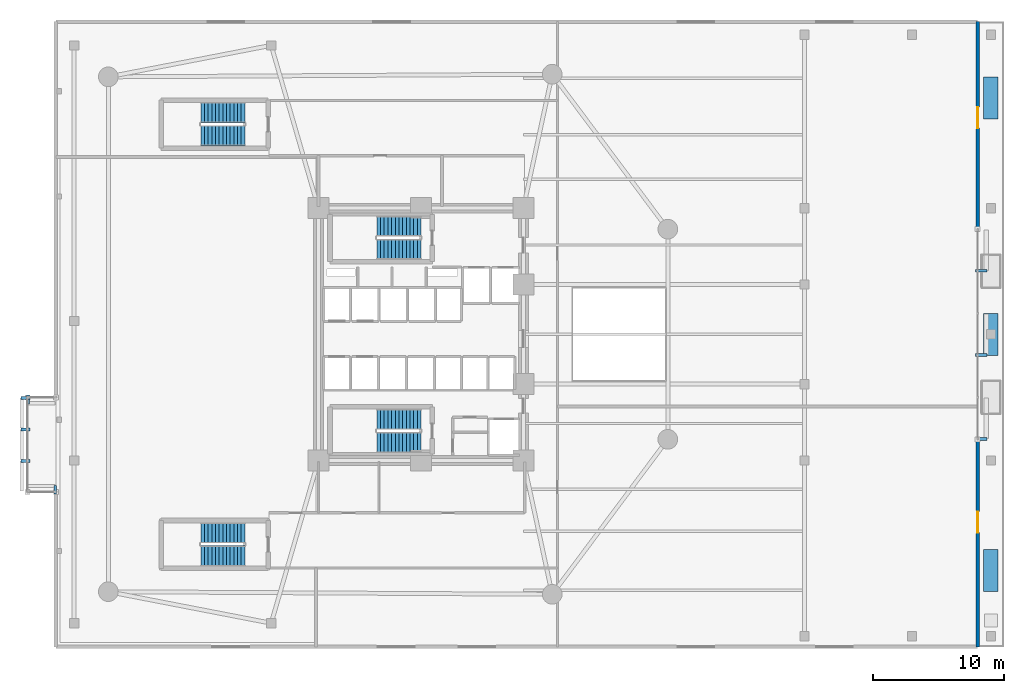
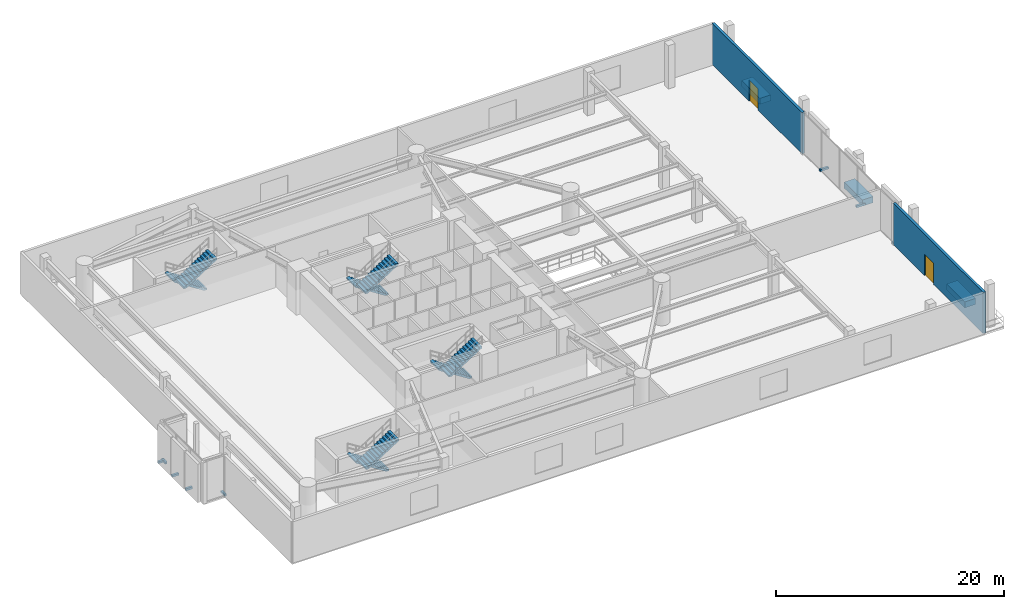
# One storey, part 13 of 16: 11 discrete accessories, 8 stair flights, 2 doors, 2 walls, 2 openings, 4 elements without a shape of their own.
"""IFC4 building model written with IfcOpenShell, lengths in metres."""

from ifc_helpers import new_model, si_unit, direction, frame, frame_2d, origin, origin_2d, place, context, subcontext, project, spatial, polyline, rectangle, outline, extrude, material, layer, layer_set, type_object, element, fill, aggregate, save


model = new_model("IFC4")

# Units and contexts
model_context = context("Model", 3, precision=1e-05, world=origin(), true_north=direction((0.0, 1.0)))
body_context = subcontext(model_context, "Body", "Model", "MODEL_VIEW")
ifc_project = project(units=[si_unit("LENGTHUNIT", "METRE"), si_unit("AREAUNIT", "SQUARE_METRE"), si_unit("VOLUMEUNIT", "CUBIC_METRE"), si_unit("PLANEANGLEUNIT", "RADIAN"), si_unit("MASSUNIT", "GRAM", prefix="KILO")], contexts=[model_context])

# Site, building, storey
site_placement = place(None, origin())
site = spatial("IfcSite", under=ifc_project, at=site_placement, CompositionType="ELEMENT")
building_placement = place(site_placement, origin())
building = spatial("IfcBuilding", under=site, at=building_placement, Name="An Khanh Terracotta Commons", CompositionType="ELEMENT")
storey_placement = place(building_placement, frame((0.0, 0.0, 5.39990234375)))
storey = spatial("IfcBuildingStorey", under=building, at=storey_placement, Name="L02", CompositionType="ELEMENT", Elevation=5.39990234375)

# Wall, opening, door
ifc_material_1 = material(Name="Concrete C40/50", Category="concrete")
ifc_layer = layer(ifc_material_1, 0.260009765625, Name="Concrete C40/50")
ifc_layer_set = layer_set([ifc_layer], Name="Concrete C40/50")
wall_type = type_object("IfcWallType", Name="WALL-POD-260", PredefinedType="SOLIDWALL", material=ifc_layer_set)
wall_1_placement = place(storey_placement, frame((71.800048828125, 16.0, 0.0), z_axis=(0.0, 0.0, 1.0), x_axis=(0.0, -1.0, 0.0)))
wall_1 = element("IfcWall", 1, at=wall_1_placement, inside=storey, type_object=wall_type, Name="L02 East Terrace Wall South", PredefinedType="SOLIDWALL", context=body_context, shape_type="SweptSolid", body=[
    extrude(rectangle(XDim=15.800048828125, YDim=0.260009765625, at=frame_2d((7.89990234375, 0.0))), origin(), (0.0, 0.0, 1.0), 4.43017578125),
])
opening_1_placement = place(wall_1_placement, frame((5.5, 0.0, 0.0)))
opening_1 = element("IfcOpeningElement", 2, at=opening_1_placement, cuts=wall_1, Name="Opening D-TER", PredefinedType="OPENING", context=body_context, shape_type="SweptSolid", body=[
    extrude(rectangle(XDim=1.60009765625, YDim=2.300048828125, at=frame_2d((0.800048828125, 1.14990234375))), frame((0.0, 0.139892578125, 0.0), z_axis=(0.0, -1.0, 0.0), x_axis=(1.0, 0.0, 0.0)), (0.0, 0.0, 1.0), 0.280029296875),
])
ifc_material_2 = material(Name="Thermally Broken Aluminium and Low-E Glass", Category="aluminium")
door_type = type_object("IfcDoorType", Name="DOOR-TERR-1600", OperationType="NOTDEFINED", PredefinedType="DOOR", material=ifc_material_2)
door_1_placement = place(opening_1_placement, origin())
door_1 = element("IfcDoor", 3, at=door_1_placement, inside=storey, type_object=door_type, Name="L02 South Commons Garden Terrace Door", OperationType="DOUBLE_DOOR_SINGLE_SWING", OverallHeight=2.300048828125, OverallWidth=1.60009765625, PredefinedType="DOOR", context=body_context, shape_type="SweptSolid", body=[
    extrude(rectangle(XDim=1.60009765625, YDim=2.300048828125, at=frame_2d((0.800048828125, 1.14990234375))), frame((0.0, 0.02490234375, 0.0), z_axis=(0.0, -1.0, 0.0), x_axis=(1.0, 0.0, 0.0)), (0.0, 0.0, 1.0), 0.050048828125),
])
fill(opening_1, door_1)

wall_2_placement = place(storey_placement, frame((71.800048828125, 47.800048828125, 0.0), z_axis=(0.0, 0.0, 1.0), x_axis=(0.0, -1.0, 0.0)))
wall_2 = element("IfcWall", 4, at=wall_2_placement, inside=storey, type_object=wall_type, Name="L02 East Terrace Wall North", PredefinedType="SOLIDWALL", context=body_context, shape_type="SweptSolid", body=[
    extrude(rectangle(XDim=15.800048828125, YDim=0.260009765625, at=frame_2d((7.89990234375, 0.0))), origin(), (0.0, 0.0, 1.0), 4.43017578125),
])
opening_2_placement = place(wall_2_placement, frame((6.5, 0.0, 0.0)))
opening_2 = element("IfcOpeningElement", 5, at=opening_2_placement, cuts=wall_2, Name="Opening D-TER", PredefinedType="OPENING", context=body_context, shape_type="SweptSolid", body=[
    extrude(rectangle(XDim=1.60009765625, YDim=2.300048828125, at=frame_2d((0.800048828125, 1.14990234375))), frame((0.0, 0.139892578125, 0.0), z_axis=(0.0, -1.0, 0.0), x_axis=(1.0, 0.0, 0.0)), (0.0, 0.0, 1.0), 0.280029296875),
])
door_2_placement = place(opening_2_placement, origin())
door_2 = element("IfcDoor", 6, at=door_2_placement, inside=storey, type_object=door_type, Name="L02 North Commons Garden Terrace Door", OperationType="DOUBLE_DOOR_SINGLE_SWING", OverallHeight=2.300048828125, OverallWidth=1.60009765625, PredefinedType="DOOR", context=body_context, shape_type="SweptSolid", body=[
    extrude(rectangle(XDim=1.60009765625, YDim=2.300048828125, at=frame_2d((0.800048828125, 1.14990234375))), frame((0.0, 0.02490234375, 0.0), z_axis=(0.0, -1.0, 0.0), x_axis=(1.0, 0.0, 0.0)), (0.0, 0.0, 1.0), 0.050048828125),
])
fill(opening_2, door_2)

# Stair, stair flights
ifc_material_3 = material(Name="Precast concrete C40/50", Category="concrete")
stair_type_1 = type_object("IfcStairType", Name="STAIR-CORE-1550", PredefinedType="HALF_TURN_STAIR", material=ifc_material_3)
stair_1_placement = place(storey_placement, origin())
stair_1 = element("IfcStair", 7, at=stair_1_placement, inside=storey, type_object=stair_type_1, Name="L02 Core Smokeproof Exit Stair ST-01", PredefinedType="HALF_TURN_STAIR")
stair_flight_type_1 = type_object("IfcStairFlightType", Name="FLIGHT-CORE-1550", PredefinedType="STRAIGHT", material=ifc_material_3)
stair_flight_1_placement = place(storey_placement, frame((29.409912109375, 32.22509765625, 0.0), z_axis=(0.0, 0.0, 1.0), x_axis=(-1.0, 0.0, 0.0)))
stair_flight_1 = element("IfcStairFlight", 8, at=stair_flight_1_placement, type_object=stair_flight_type_1, Name="ST-01 flight 1", NumberOfRisers=13, NumberOfTreads=12, PredefinedType="STRAIGHT", RiserHeight=0.178846154, TreadLength=0.28, context=body_context, shape_type="SweptSolid", body=[
    extrude(outline(polyline([(0.0, 0.0), (0.0, 0.178955078125), (0.280029296875, 0.178955078125), (0.280029296875, 0.357666015625), (0.56005859375, 0.357666015625), (0.56005859375, 0.53662109375), (0.840087890625, 0.53662109375), (0.840087890625, 0.71533203125), (1.1201171875, 0.71533203125), (1.1201171875, 0.894287109375), (1.39990234375, 0.894287109375), (1.39990234375, 1.072998046875), (1.679931640625, 1.072998046875), (1.679931640625, 1.251953125), (1.9599609375, 1.251953125), (1.9599609375, 1.4306640625), (2.239990234375, 1.4306640625), (2.239990234375, 1.609619140625), (2.52001953125, 1.609619140625), (2.52001953125, 1.78857421875), (2.800048828125, 1.78857421875), (2.800048828125, 1.96728515625), (3.080078125, 1.96728515625), (3.080078125, 2.146240234375), (3.360107421875, 2.146240234375), (3.360107421875, 2.324951171875), (3.360107421875, 1.96826171875), (0.278564453125, 0.0), (0.0, 0.0)])), frame((0.0, 0.77490234375, 0.0), z_axis=(0.0, -1.0, 0.0), x_axis=(1.0, 0.0, 0.0)), (0.0, 0.0, 1.0), 1.550048828125),
])
stair_flight_2_placement = place(storey_placement, frame((26.050048828125, 30.47509765625, 2.3251953125), z_axis=(0.0, 0.0, 1.0), x_axis=(1.0, 0.0, 0.0)))
stair_flight_2 = element("IfcStairFlight", 9, at=stair_flight_2_placement, type_object=stair_flight_type_1, Name="ST-01 flight 2", NumberOfRisers=13, NumberOfTreads=12, PredefinedType="STRAIGHT", RiserHeight=0.178846154, TreadLength=0.28, context=body_context, shape_type="SweptSolid", body=[
    extrude(outline(polyline([(0.0, 0.0), (0.0, 0.178955078125), (0.280029296875, 0.178955078125), (0.280029296875, 0.357666015625), (0.56005859375, 0.357666015625), (0.56005859375, 0.53662109375), (0.840087890625, 0.53662109375), (0.840087890625, 0.71533203125), (1.1201171875, 0.71533203125), (1.1201171875, 0.894287109375), (1.39990234375, 0.894287109375), (1.39990234375, 1.072998046875), (1.679931640625, 1.072998046875), (1.679931640625, 1.251953125), (1.9599609375, 1.251953125), (1.9599609375, 1.4306640625), (2.239990234375, 1.4306640625), (2.239990234375, 1.609619140625), (2.52001953125, 1.609619140625), (2.52001953125, 1.78857421875), (2.800048828125, 1.78857421875), (2.800048828125, 1.96728515625), (3.080078125, 1.96728515625), (3.080078125, 2.146240234375), (3.360107421875, 2.146240234375), (3.360107421875, 2.324951171875), (3.360107421875, 1.96826171875), (0.278564453125, 0.0), (0.0, 0.0)])), frame((0.0, 0.77490234375, 0.0), z_axis=(0.0, -1.0, 0.0), x_axis=(1.0, 0.0, 0.0)), (0.0, 0.0, 1.0), 1.550048828125),
])
aggregate(stair_1, [stair_flight_1, stair_flight_2])

stair_2_placement = place(storey_placement, origin())
stair_2 = element("IfcStair", 10, at=stair_2_placement, inside=storey, type_object=stair_type_1, Name="L02 Core Smokeproof Exit Stair ST-02", PredefinedType="HALF_TURN_STAIR")
stair_flight_3_placement = place(storey_placement, frame((29.409912109375, 17.52490234375, 0.0), z_axis=(0.0, 0.0, 1.0), x_axis=(-1.0, 0.0, 0.0)))
stair_flight_3 = element("IfcStairFlight", 11, at=stair_flight_3_placement, type_object=stair_flight_type_1, Name="ST-02 flight 1", NumberOfRisers=13, NumberOfTreads=12, PredefinedType="STRAIGHT", RiserHeight=0.178846154, TreadLength=0.28, context=body_context, shape_type="SweptSolid", body=[
    extrude(outline(polyline([(0.0, 0.0), (0.0, 0.178955078125), (0.280029296875, 0.178955078125), (0.280029296875, 0.357666015625), (0.56005859375, 0.357666015625), (0.56005859375, 0.53662109375), (0.840087890625, 0.53662109375), (0.840087890625, 0.71533203125), (1.1201171875, 0.71533203125), (1.1201171875, 0.894287109375), (1.39990234375, 0.894287109375), (1.39990234375, 1.072998046875), (1.679931640625, 1.072998046875), (1.679931640625, 1.251953125), (1.9599609375, 1.251953125), (1.9599609375, 1.4306640625), (2.239990234375, 1.4306640625), (2.239990234375, 1.609619140625), (2.52001953125, 1.609619140625), (2.52001953125, 1.78857421875), (2.800048828125, 1.78857421875), (2.800048828125, 1.96728515625), (3.080078125, 1.96728515625), (3.080078125, 2.146240234375), (3.360107421875, 2.146240234375), (3.360107421875, 2.324951171875), (3.360107421875, 1.96826171875), (0.278564453125, 0.0), (0.0, 0.0)])), frame((0.0, 0.77490234375, 0.0), z_axis=(0.0, -1.0, 0.0), x_axis=(1.0, 0.0, 0.0)), (0.0, 0.0, 1.0), 1.550048828125),
])
stair_flight_4_placement = place(storey_placement, frame((26.050048828125, 15.77490234375, 2.3251953125), z_axis=(0.0, 0.0, 1.0), x_axis=(1.0, 0.0, 0.0)))
stair_flight_4 = element("IfcStairFlight", 12, at=stair_flight_4_placement, type_object=stair_flight_type_1, Name="ST-02 flight 2", NumberOfRisers=13, NumberOfTreads=12, PredefinedType="STRAIGHT", RiserHeight=0.178846154, TreadLength=0.28, context=body_context, shape_type="SweptSolid", body=[
    extrude(outline(polyline([(0.0, 0.0), (0.0, 0.178955078125), (0.280029296875, 0.178955078125), (0.280029296875, 0.357666015625), (0.56005859375, 0.357666015625), (0.56005859375, 0.53662109375), (0.840087890625, 0.53662109375), (0.840087890625, 0.71533203125), (1.1201171875, 0.71533203125), (1.1201171875, 0.894287109375), (1.39990234375, 0.894287109375), (1.39990234375, 1.072998046875), (1.679931640625, 1.072998046875), (1.679931640625, 1.251953125), (1.9599609375, 1.251953125), (1.9599609375, 1.4306640625), (2.239990234375, 1.4306640625), (2.239990234375, 1.609619140625), (2.52001953125, 1.609619140625), (2.52001953125, 1.78857421875), (2.800048828125, 1.78857421875), (2.800048828125, 1.96728515625), (3.080078125, 1.96728515625), (3.080078125, 2.146240234375), (3.360107421875, 2.146240234375), (3.360107421875, 2.324951171875), (3.360107421875, 1.96826171875), (0.278564453125, 0.0), (0.0, 0.0)])), frame((0.0, 0.77490234375, 0.0), z_axis=(0.0, -1.0, 0.0), x_axis=(1.0, 0.0, 0.0)), (0.0, 0.0, 1.0), 1.550048828125),
])
aggregate(stair_2, [stair_flight_3, stair_flight_4])

stair_type_2 = type_object("IfcStairType", Name="STAIR-POD-1550", PredefinedType="HALF_TURN_STAIR", material=ifc_material_1)
stair_3_placement = place(storey_placement, origin())
stair_3 = element("IfcStair", 13, at=stair_3_placement, inside=storey, type_object=stair_type_2, Name="L02 Podium Commons Exit Stair ST-P1", PredefinedType="HALF_TURN_STAIR")
stair_flight_type_2 = type_object("IfcStairFlightType", Name="FLIGHT-POD-1550", PredefinedType="STRAIGHT", material=ifc_material_1)
stair_flight_5_placement = place(storey_placement, frame((16.0, 8.875, 0.0), z_axis=(0.0, 0.0, 1.0), x_axis=(-1.0, 0.0, 0.0)))
stair_flight_5 = element("IfcStairFlight", 14, at=stair_flight_5_placement, type_object=stair_flight_type_2, Name="ST-P1 flight 1", NumberOfRisers=13, NumberOfTreads=12, PredefinedType="STRAIGHT", RiserHeight=0.178846154, TreadLength=0.28, context=body_context, shape_type="SweptSolid", body=[
    extrude(outline(polyline([(0.0, 0.0), (0.0, 0.178955078125), (0.280029296875, 0.178955078125), (0.280029296875, 0.357666015625), (0.56005859375, 0.357666015625), (0.56005859375, 0.53662109375), (0.840087890625, 0.53662109375), (0.840087890625, 0.71533203125), (1.1201171875, 0.71533203125), (1.1201171875, 0.894287109375), (1.39990234375, 0.894287109375), (1.39990234375, 1.072998046875), (1.679931640625, 1.072998046875), (1.679931640625, 1.251953125), (1.9599609375, 1.251953125), (1.9599609375, 1.4306640625), (2.239990234375, 1.4306640625), (2.239990234375, 1.609619140625), (2.52001953125, 1.609619140625), (2.52001953125, 1.78857421875), (2.800048828125, 1.78857421875), (2.800048828125, 1.96728515625), (3.080078125, 1.96728515625), (3.080078125, 2.146240234375), (3.360107421875, 2.146240234375), (3.360107421875, 2.324951171875), (3.360107421875, 1.96826171875), (0.278564453125, 0.0), (0.0, 0.0)])), frame((0.0, 0.77490234375, 0.0), z_axis=(0.0, -1.0, 0.0), x_axis=(1.0, 0.0, 0.0)), (0.0, 0.0, 1.0), 1.550048828125),
])
stair_flight_6_placement = place(storey_placement, frame((12.639892578125, 7.125, 2.3251953125), z_axis=(0.0, 0.0, 1.0), x_axis=(1.0, 0.0, 0.0)))
stair_flight_6 = element("IfcStairFlight", 15, at=stair_flight_6_placement, type_object=stair_flight_type_2, Name="ST-P1 flight 2", NumberOfRisers=13, NumberOfTreads=12, PredefinedType="STRAIGHT", RiserHeight=0.178846154, TreadLength=0.28, context=body_context, shape_type="SweptSolid", body=[
    extrude(outline(polyline([(0.0, 0.0), (0.0, 0.178955078125), (0.280029296875, 0.178955078125), (0.280029296875, 0.357666015625), (0.56005859375, 0.357666015625), (0.56005859375, 0.53662109375), (0.840087890625, 0.53662109375), (0.840087890625, 0.71533203125), (1.1201171875, 0.71533203125), (1.1201171875, 0.894287109375), (1.39990234375, 0.894287109375), (1.39990234375, 1.072998046875), (1.679931640625, 1.072998046875), (1.679931640625, 1.251953125), (1.9599609375, 1.251953125), (1.9599609375, 1.4306640625), (2.239990234375, 1.4306640625), (2.239990234375, 1.609619140625), (2.52001953125, 1.609619140625), (2.52001953125, 1.78857421875), (2.800048828125, 1.78857421875), (2.800048828125, 1.96728515625), (3.080078125, 1.96728515625), (3.080078125, 2.146240234375), (3.360107421875, 2.146240234375), (3.360107421875, 2.324951171875), (3.360107421875, 1.96826171875), (0.278564453125, 0.0), (0.0, 0.0)])), frame((0.0, 0.77490234375, 0.0), z_axis=(0.0, -1.0, 0.0), x_axis=(1.0, 0.0, 0.0)), (0.0, 0.0, 1.0), 1.550048828125),
])
aggregate(stair_3, [stair_flight_5, stair_flight_6])

stair_4_placement = place(storey_placement, origin())
stair_4 = element("IfcStair", 16, at=stair_4_placement, inside=storey, type_object=stair_type_2, Name="L02 Podium Commons Exit Stair ST-P2", PredefinedType="HALF_TURN_STAIR")
stair_flight_7_placement = place(storey_placement, frame((16.0, 40.875, 0.0), z_axis=(0.0, 0.0, 1.0), x_axis=(-1.0, 0.0, 0.0)))
stair_flight_7 = element("IfcStairFlight", 17, at=stair_flight_7_placement, type_object=stair_flight_type_2, Name="ST-P2 flight 1", NumberOfRisers=13, NumberOfTreads=12, PredefinedType="STRAIGHT", RiserHeight=0.178846154, TreadLength=0.28, context=body_context, shape_type="SweptSolid", body=[
    extrude(outline(polyline([(0.0, 0.0), (0.0, 0.178955078125), (0.280029296875, 0.178955078125), (0.280029296875, 0.357666015625), (0.56005859375, 0.357666015625), (0.56005859375, 0.53662109375), (0.840087890625, 0.53662109375), (0.840087890625, 0.71533203125), (1.1201171875, 0.71533203125), (1.1201171875, 0.894287109375), (1.39990234375, 0.894287109375), (1.39990234375, 1.072998046875), (1.679931640625, 1.072998046875), (1.679931640625, 1.251953125), (1.9599609375, 1.251953125), (1.9599609375, 1.4306640625), (2.239990234375, 1.4306640625), (2.239990234375, 1.609619140625), (2.52001953125, 1.609619140625), (2.52001953125, 1.78857421875), (2.800048828125, 1.78857421875), (2.800048828125, 1.96728515625), (3.080078125, 1.96728515625), (3.080078125, 2.146240234375), (3.360107421875, 2.146240234375), (3.360107421875, 2.324951171875), (3.360107421875, 1.96826171875), (0.278564453125, 0.0), (0.0, 0.0)])), frame((0.0, 0.77490234375, 0.0), z_axis=(0.0, -1.0, 0.0), x_axis=(1.0, 0.0, 0.0)), (0.0, 0.0, 1.0), 1.550048828125),
])
stair_flight_8_placement = place(storey_placement, frame((12.639892578125, 39.125, 2.3251953125), z_axis=(0.0, 0.0, 1.0), x_axis=(1.0, 0.0, 0.0)))
stair_flight_8 = element("IfcStairFlight", 18, at=stair_flight_8_placement, type_object=stair_flight_type_2, Name="ST-P2 flight 2", NumberOfRisers=13, NumberOfTreads=12, PredefinedType="STRAIGHT", RiserHeight=0.178846154, TreadLength=0.28, context=body_context, shape_type="SweptSolid", body=[
    extrude(outline(polyline([(0.0, 0.0), (0.0, 0.178955078125), (0.280029296875, 0.178955078125), (0.280029296875, 0.357666015625), (0.56005859375, 0.357666015625), (0.56005859375, 0.53662109375), (0.840087890625, 0.53662109375), (0.840087890625, 0.71533203125), (1.1201171875, 0.71533203125), (1.1201171875, 0.894287109375), (1.39990234375, 0.894287109375), (1.39990234375, 1.072998046875), (1.679931640625, 1.072998046875), (1.679931640625, 1.251953125), (1.9599609375, 1.251953125), (1.9599609375, 1.4306640625), (2.239990234375, 1.4306640625), (2.239990234375, 1.609619140625), (2.52001953125, 1.609619140625), (2.52001953125, 1.78857421875), (2.800048828125, 1.78857421875), (2.800048828125, 1.96728515625), (3.080078125, 1.96728515625), (3.080078125, 2.146240234375), (3.360107421875, 2.146240234375), (3.360107421875, 2.324951171875), (3.360107421875, 1.96826171875), (0.278564453125, 0.0), (0.0, 0.0)])), frame((0.0, 0.77490234375, 0.0), z_axis=(0.0, -1.0, 0.0), x_axis=(1.0, 0.0, 0.0)), (0.0, 0.0, 1.0), 1.550048828125),
])
aggregate(stair_4, [stair_flight_7, stair_flight_8])

# Discrete accessories
ifc_material_4 = material(Name="Stainless Steel Grade 316L", Category="steel")
discrete_accessory_type_1 = type_object("IfcDiscreteAccessoryType", Name="Stainless Outrigger Facade Bracket", PredefinedType="BRACKET", material=ifc_material_4)
for number, where, z_axis, x_axis, name in (
    (19, (-0.715087890625, 19.159912109375, 0.0703125), (0.0, 0.0, 1.0), (0.0, -1.0, 0.0), "L02 Terracotta Screen Outrigger Bracket 1"),
    (20, (-0.715087890625, 16.760009765625, 0.0703125), (0.0, 0.0, 1.0), (0.0, -1.0, 0.0), "L02 Terracotta Screen Outrigger Bracket 2"),
    (21, (-0.715087890625, 14.360107421875, 0.0703125), (0.0, 0.0, 1.0), (0.0, -1.0, 0.0), "L02 Terracotta Screen Outrigger Bracket 3"),
    (22, (1.56005859375, 12.1650390625, 0.0703125), (0.0, 0.0, 1.0), (-1.0, 0.0, 0.0), "L02 Terracotta Screen Outrigger Bracket 1"),
    (23, (-0.510009765625, 19.034912109375, 0.0703125), (0.0, 0.0, 1.0), (1.0, 0.0, 0.0), "L02 Terracotta Screen Outrigger Bracket 1"),
):
    element("IfcDiscreteAccessory", number, at=place(storey_placement, frame(where, z_axis=z_axis, x_axis=x_axis)), inside=storey, type_object=discrete_accessory_type_1, Name=name, PredefinedType="BRACKET", context=body_context, shape_type="SweptSolid", body=[
        extrude(rectangle(XDim=0.219970703125, YDim=0.669921875, at=origin_2d()), origin(), (0.0, 0.0, 1.0), 0.219970703125),
    ])
for number, where, z_axis, x_axis, name in (
    (24, (72.06494140625, 16.031982421875, 0.0703125), (0.0, 0.0, 1.0), (0.0, 1.0, 0.0), "L02 Terracotta Screen Outrigger Bracket 1"),
    (25, (72.06494140625, 22.43310546875, 0.0703125), (0.0, 0.0, 1.0), (0.0, 1.0, 0.0), "L02 Terracotta Screen Outrigger Bracket 3"),
    (26, (72.06494140625, 28.8330078125, 0.0703125), (0.0, 0.0, 1.0), (0.0, 1.0, 0.0), "L02 Terracotta Screen Outrigger Bracket 5"),
):
    element("IfcDiscreteAccessory", number, at=place(storey_placement, frame(where, z_axis=z_axis, x_axis=x_axis)), inside=storey, type_object=discrete_accessory_type_1, Name=name, PredefinedType="BRACKET", context=body_context, shape_type="SweptSolid", body=[
        extrude(rectangle(XDim=0.219970703125, YDim=0.8701171875, at=origin_2d()), origin(), (0.0, 0.0, 1.0), 0.219970703125),
    ])
ifc_material_5 = material(Name="Planted Garden Soil Substrate in Precast GRC", Category="concrete")
discrete_accessory_type_2 = type_object("IfcDiscreteAccessoryType", Name="Terrace Garden Planter", PredefinedType="USERDEFINED", material=ifc_material_5)
for number, where, z_axis, x_axis, name in (
    (27, (72.800048828125, 6.0, 0.000244140625), (0.0, 0.0, 1.0), (1.0, 0.0, 0.0), "L02 Terrace Garden Planter 1"),
    (28, (72.800048828125, 24.0, 0.000244140625), (0.0, 0.0, 1.0), (1.0, 0.0, 0.0), "L02 Terrace Garden Planter 2"),
    (29, (72.800048828125, 42.0, 0.000244140625), (0.0, 0.0, 1.0), (1.0, 0.0, 0.0), "L02 Terrace Garden Planter 3"),
):
    element("IfcDiscreteAccessory", number, at=place(storey_placement, frame(where, z_axis=z_axis, x_axis=x_axis)), inside=storey, type_object=discrete_accessory_type_2, Name=name, ObjectType="PLANTER", PredefinedType="USERDEFINED", context=body_context, shape_type="SweptSolid", body=[
        extrude(rectangle(XDim=1.10009765625, YDim=3.199951171875, at=origin_2d()), origin(), (0.0, 0.0, 1.0), 0.64990234375),
    ])

save(model, "model.ifc")
